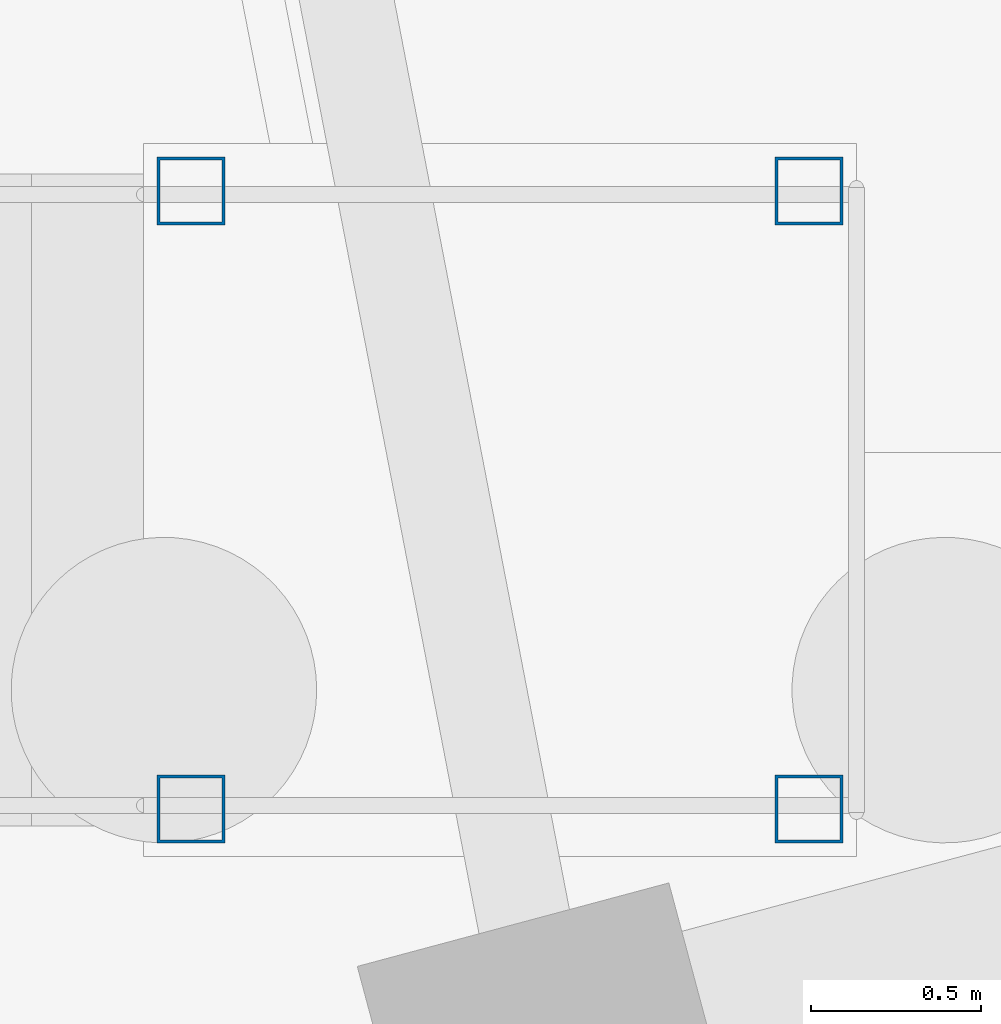
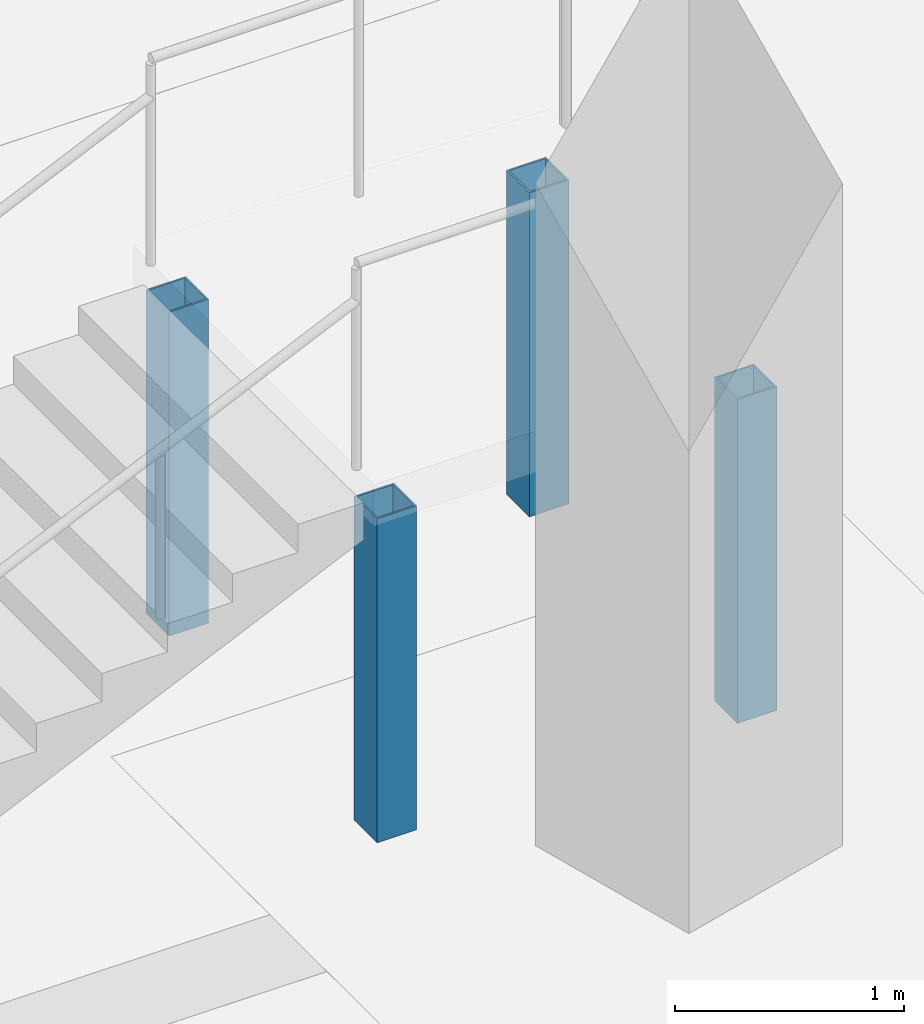
# One storey, part 13 of 93: 4 columns.
"""IFC4 building model written with IfcOpenShell, lengths in metres."""

from ifc_helpers import new_model, si_unit, direction, frame, origin, origin_2d, place, context, subcontext, project, spatial, hollow_rectangle, extrude, material, material_profile, profile_set, type_object, element, save


model = new_model("IFC4")

# Units and contexts
model_context = context("Model", 3, precision=1e-05, world=origin(), true_north=direction((0.0, 1.0)))
body_context = subcontext(model_context, "Body", "Model", "MODEL_VIEW")
ifc_project = project(units=[si_unit("LENGTHUNIT", "METRE"), si_unit("AREAUNIT", "SQUARE_METRE"), si_unit("VOLUMEUNIT", "CUBIC_METRE"), si_unit("PLANEANGLEUNIT", "RADIAN"), si_unit("MASSUNIT", "GRAM", prefix="KILO")], contexts=[model_context])

# Site, building, storey
site_placement = place(None, origin())
site = spatial("IfcSite", under=ifc_project, at=site_placement, CompositionType="ELEMENT")
building_placement = place(site_placement, origin())
building = spatial("IfcBuilding", under=site, at=building_placement, Name="Kalgoora Escarpment Arena", CompositionType="ELEMENT")
storey_placement = place(building_placement, origin())
storey = spatial("IfcBuildingStorey", under=building, at=storey_placement, Name="L00", CompositionType="ELEMENT", Elevation=0.0)

# Columns
ifc_material = material(Name="Structural steel C350 (350 MPa)", Category="steel")
ifc_material_profile = material_profile(ifc_material, hollow_rectangle(XDim=0.199951171875, YDim=0.199951171875, WallThickness=0.009033203125, at=origin_2d()))
ifc_profile_set = profile_set([ifc_material_profile], Name="Structural steel C350 (350 MPa)")
column_type = type_object("IfcColumnType", Name="COL-VST-POST", PredefinedType="COLUMN", material=ifc_profile_set)
for number, where, z_axis, x_axis, name in (
    (1, (46.5, 56.590087890625, 0.0), (0.0, 0.0, 1.0), (1.0, 0.0, 0.0), "Vomitory landing support post VST09-1"),
    (2, (48.320068359375, 56.590087890625, 0.0), (0.0, 0.0, 1.0), (1.0, 0.0, 0.0), "Vomitory landing support post VST09-2"),
    (3, (46.5, 58.409912109375, 0.0), (0.0, 0.0, 1.0), (1.0, 0.0, 0.0), "Vomitory landing support post VST09-3"),
    (4, (48.320068359375, 58.409912109375, 0.0), (0.0, 0.0, 1.0), (1.0, 0.0, 0.0), "Vomitory landing support post VST09-4"),
):
    element("IfcColumn", number, at=place(storey_placement, frame(where, z_axis=z_axis, x_axis=x_axis)), inside=storey, type_object=column_type, Name=name, PredefinedType="COLUMN", context=body_context, shape_type="SweptSolid", body=[
        extrude(hollow_rectangle(XDim=0.199951171875, YDim=0.199951171875, WallThickness=0.009033203125, at=origin_2d()), origin(), (0.0, 0.0, 1.0), 1.72998046875),
    ])

save(model, "model.ifc")
